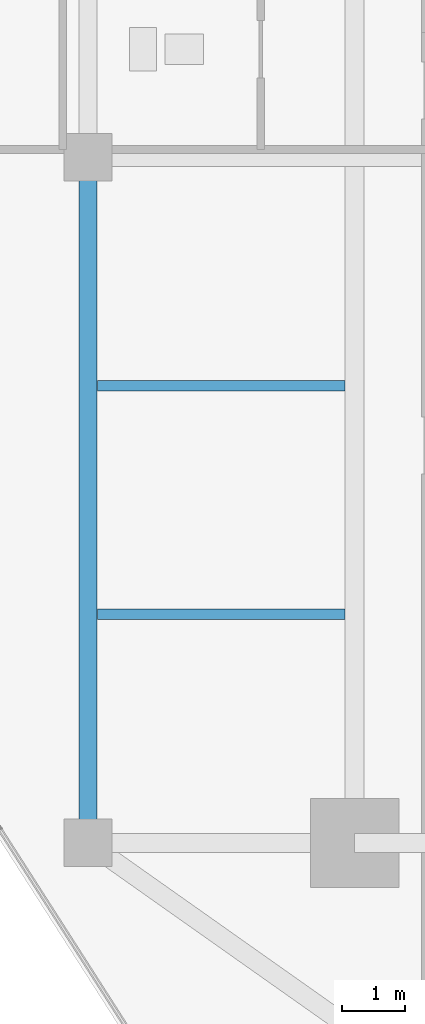
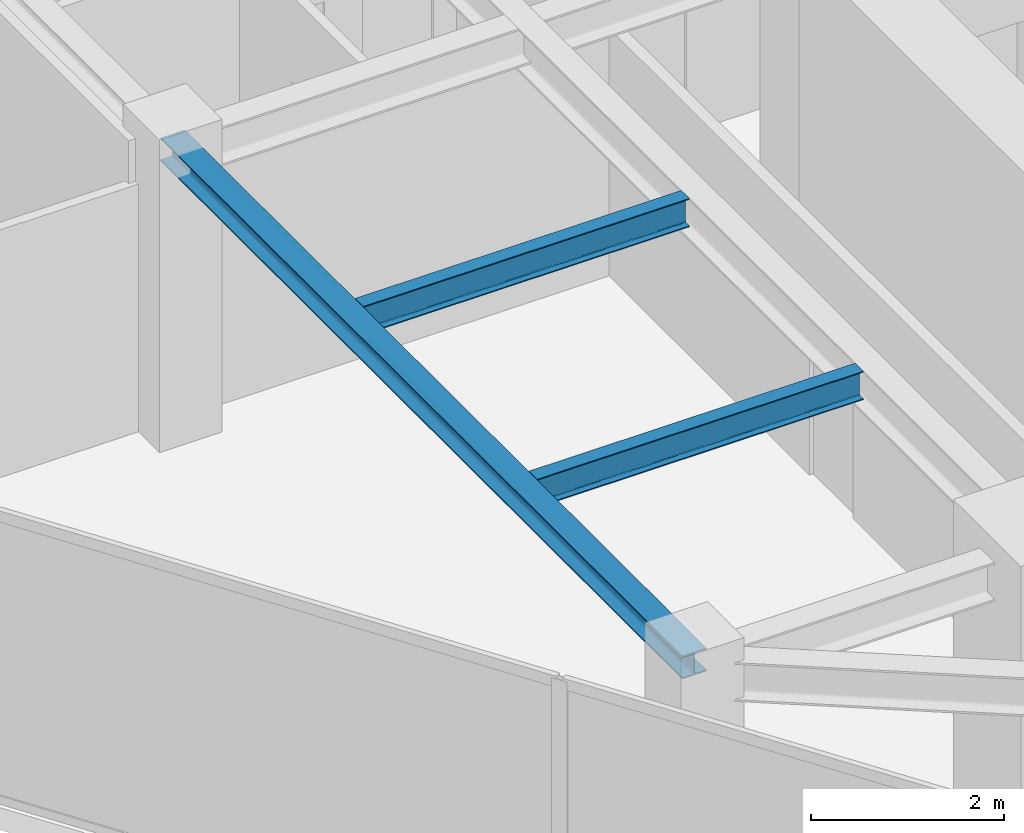
# One storey, part 5 of 20: 3 beams.
"""IFC4 building model written with IfcOpenShell, lengths in metres."""

from ifc_helpers import new_model, si_unit, direction, frame, origin, origin_2d, place, context, subcontext, project, spatial, i_section, extrude, source, transform, mapped, material, material_profile, profile_set, type_object, type_shapes, element, save


model = new_model("IFC4")

# Units and contexts
model_context = context("Model", 3, precision=1e-05, world=origin(), true_north=direction((0.0, 1.0)))
body_context = subcontext(model_context, "Body", "Model", "MODEL_VIEW")
ifc_project = project(units=[si_unit("LENGTHUNIT", "METRE"), si_unit("AREAUNIT", "SQUARE_METRE"), si_unit("VOLUMEUNIT", "CUBIC_METRE"), si_unit("PLANEANGLEUNIT", "RADIAN"), si_unit("MASSUNIT", "GRAM", prefix="KILO")], contexts=[model_context])

# Site, building, storey
site_placement = place(None, origin())
site = spatial("IfcSite", under=ifc_project, at=site_placement, CompositionType="ELEMENT")
building_placement = place(site_placement, origin())
building = spatial("IfcBuilding", under=site, at=building_placement, Name="Krantzveldt Concourse Tower", CompositionType="ELEMENT")
storey_placement = place(building_placement, frame((0.0, 0.0, 283.199951171875)))
storey = spatial("IfcBuildingStorey", under=building, at=storey_placement, Name="L69", CompositionType="ELEMENT", Elevation=283.199951171875)

# Beams
ifc_material = material(Name="Steel S355JR", Category="steel")
ifc_material_profile_1 = material_profile(ifc_material, i_section(OverallWidth=0.2900390625, OverallDepth=0.2900390625, WebThickness=0.008544921875, FlangeThickness=0.013916015625, FilletRadius=0.027099609375, at=origin_2d()), Name="Steel S355JR", Category="steel")
ifc_profile_set_1 = profile_set([ifc_material_profile_1], Name="Steel S355JR - HEA 300")
beam_type_1 = type_object("IfcBeamType", Name="BM-SP-HEA300", PredefinedType="SPANDREL", material=ifc_profile_set_1)
shared_shape_1 = source(origin(), body_context, "Body", "SweptSolid", [
    extrude(i_section(OverallWidth=0.2900390625, OverallDepth=0.2900390625, WebThickness=0.008544921875, FlangeThickness=0.013916015625, FilletRadius=0.027099609375, at=origin_2d()), origin(), (0.0, 0.0, 1.0), 10.800048828125),
])
type_shapes(beam_type_1, [shared_shape_1])
beam_placement = place(storey_placement, frame((21.0, 15.89990234375, 3.525146484375), z_axis=(0.0, 1.0, 0.0), x_axis=(-1.0, 0.0, 0.0)))
element("IfcBeam", 1, at=beam_placement, inside=storey, type_object=beam_type_1, Name="L69 Tower Girder SP-R01", PredefinedType="SPANDREL", context=body_context, shape_type="MappedRepresentation", body=[
    mapped(shared_shape_1, transform((0.0, 0.0, 0.0), x_axis=(1.0, 0.0, 0.0), y_axis=(0.0, 1.0, 0.0), z_axis=(0.0, 0.0, 1.0), scale=1.0)),
])
ifc_material_profile_2 = material_profile(ifc_material, i_section(OverallWidth=0.169921875, OverallDepth=0.360107421875, WebThickness=0.008056640625, FlangeThickness=0.0126953125, FilletRadius=0.01806640625, at=origin_2d()), Name="Steel S355JR", Category="steel")
ifc_profile_set_2 = profile_set([ifc_material_profile_2], Name="Steel S355JR - IPE 360")
beam_type_2 = type_object("IfcBeamType", Name="BM-J-IPE360", PredefinedType="JOIST", material=ifc_profile_set_2)
shared_shape_2 = source(origin(), body_context, "Body", "SweptSolid", [
    extrude(i_section(OverallWidth=0.169921875, OverallDepth=0.360107421875, WebThickness=0.008056640625, FlangeThickness=0.0126953125, FilletRadius=0.01806640625, at=origin_2d()), origin(), (0.0, 0.0, 1.0), 3.900146484375),
])
type_shapes(beam_type_2, [shared_shape_2])
for number, where, z_axis, x_axis, name in (
    (2, (21.14990234375, 19.5, 3.489990234375), (1.0, 0.0, 0.0), (0.0, 1.0, 0.0), "L69 Secondary Floor Joist JW-1"),
    (3, (21.14990234375, 23.10009765625, 3.489990234375), (1.0, 0.0, 0.0), (0.0, 1.0, 0.0), "L69 Secondary Floor Joist JW-2"),
):
    element("IfcBeam", number, at=place(storey_placement, frame(where, z_axis=z_axis, x_axis=x_axis)), inside=storey, type_object=beam_type_2, Name=name, PredefinedType="JOIST", context=body_context, shape_type="MappedRepresentation", body=[
        mapped(shared_shape_2, transform((0.0, 0.0, 0.0), x_axis=(1.0, 0.0, 0.0), y_axis=(0.0, 1.0, 0.0), z_axis=(0.0, 0.0, 1.0), scale=1.0)),
    ])

save(model, "model.ifc")
